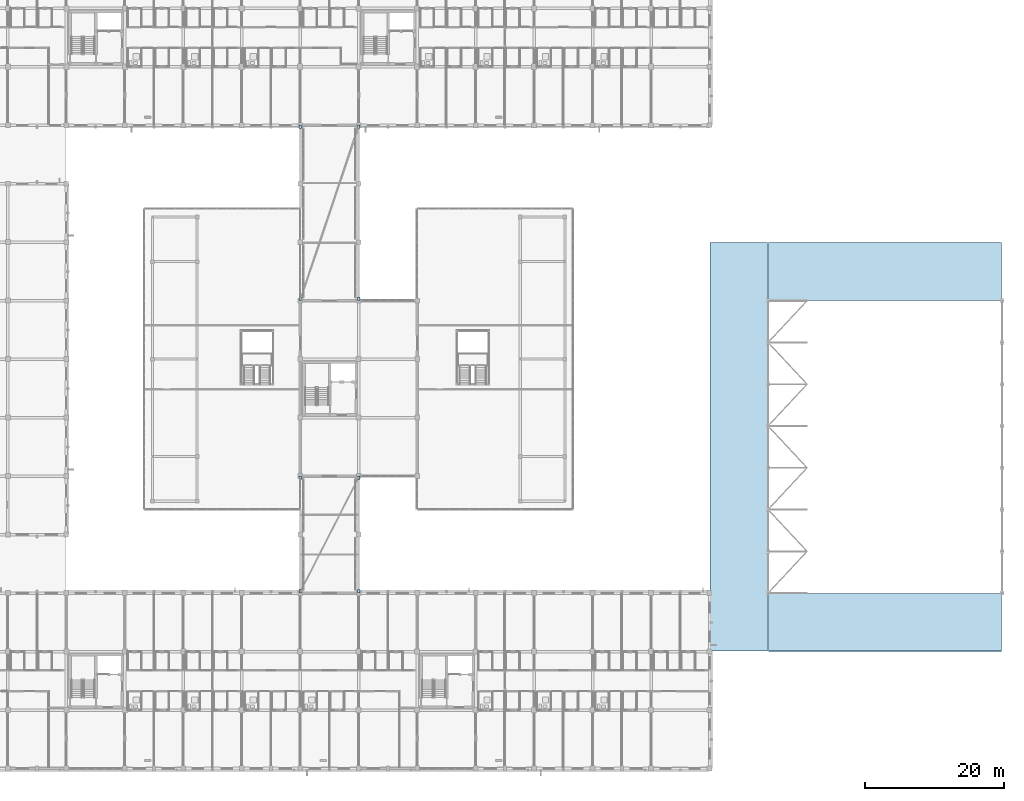
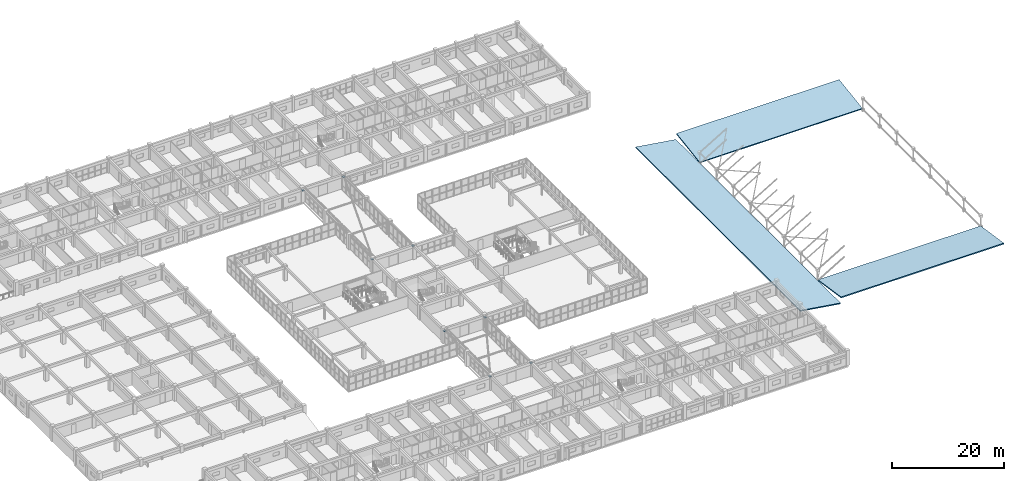
# One storey, part 108 of 148: 8 plates, 3 slabs.
"""IFC4 building model written with IfcOpenShell, lengths in metres."""

import ifcopenshell
import ifcopenshell.guid

model = None  # the IFC model being written
_history = None  # IfcOwnerHistory: only IFC2X3 demands one
_inside = {}  # id of a spatial element -> (the spatial element, [elements in it])
_under = {}  # id of a project, library or spatial element -> (it, [spatial elements below it])
_declared = {}  # id of a project -> (the project, [libraries it declares])
_typed = {}  # id of a type object -> (the type object, [elements of that type])
_made_of = {}  # id of a material, layer set ... -> (it, [elements and type objects made of it])


def new_model(schema):
    """Start an empty IFC model of exactly this schema.

    Asked for "IFC4X3", IfcOpenShell would pick the latest addendum, in which some entities
    have other attributes; the version numbers below select the first issue.
    IFC2X3 requires an IfcOwnerHistory on every rooted entity: one is made here for all.
    """
    global model, _history
    if schema == "IFC4X3":
        model = ifcopenshell.file(schema_version=(4, 3, 0, 0))
    else:
        model = ifcopenshell.file(schema=schema)
    _inside.clear()
    _under.clear()
    _declared.clear()
    _typed.clear()
    _made_of.clear()
    _history = None
    if model.schema == "IFC2X3":
        org = make("IfcOrganization", Name="unknown")
        user = make(
            "IfcPersonAndOrganization",
            ThePerson=make("IfcPerson", FamilyName="unknown"),
            TheOrganization=org,
        )
        app = make(
            "IfcApplication",
            ApplicationDeveloper=org,
            Version="unknown",
            ApplicationFullName="unknown",
            ApplicationIdentifier="unknown",
        )
        _history = make(
            "IfcOwnerHistory",
            OwningUser=user,
            OwningApplication=app,
            ChangeAction="ADDED",
            CreationDate=0,
        )
    return model


def make(cls, **values):
    """One entity of the class cls with the attributes given. An attribute that is None is left unset."""
    return model.create_entity(
        cls, **{name: value for name, value in values.items() if value is not None}
    )


def rooted(cls, **values):
    """An entity with a GlobalId (a new one), such as an element, a storey or a relation."""
    return make(cls, GlobalId=ifcopenshell.guid.new(), OwnerHistory=_history, **values)


def si_unit(unit_type, name, prefix=None):
    """IfcSIUnit, for example si_unit("LENGTHUNIT", "METRE", prefix="MILLI")."""
    return make("IfcSIUnit", UnitType=unit_type, Prefix=prefix, Name=name)


def assignment(units):
    """IfcUnitAssignment: the units of a project."""
    return None if units is None else make("IfcUnitAssignment", Units=units)


def point(xyz):
    """IfcCartesianPoint."""
    return None if xyz is None else make("IfcCartesianPoint", Coordinates=xyz)


def direction(xyz):
    """IfcDirection."""
    return None if xyz is None else make("IfcDirection", DirectionRatios=xyz)


def frame(location, z_axis=None, x_axis=None):
    """IfcAxis2Placement3D, a coordinate frame: its origin and axes. An axis left out is left unset."""
    return make(
        "IfcAxis2Placement3D",
        Location=point(location),
        Axis=direction(z_axis),
        RefDirection=direction(x_axis),
    )


def frame_2d(location, x_axis=None):
    """IfcAxis2Placement2D, a coordinate frame in the plane: its origin and x axis."""
    return make(
        "IfcAxis2Placement2D", Location=point(location), RefDirection=direction(x_axis)
    )


def origin():
    """The frame at (0, 0, 0) with its axes left unset."""
    return frame((0.0, 0.0, 0.0))


def origin_2d():
    """The frame at (0, 0) in the plane with its x axis left unset."""
    return frame_2d((0.0, 0.0))


def place(relative_to, where):
    """IfcLocalPlacement: puts the frame where relative to a parent placement (None: the world)."""
    return make(
        "IfcLocalPlacement", PlacementRelTo=relative_to, RelativePlacement=where
    )


def context(
    kind, dimensions, precision=None, world=None, true_north=None, identifier=None
):
    """IfcGeometricRepresentationContext, for example the 3D "Model" context."""
    return make(
        "IfcGeometricRepresentationContext",
        ContextIdentifier=identifier,
        ContextType=kind,
        CoordinateSpaceDimension=dimensions,
        Precision=precision,
        WorldCoordinateSystem=world,
        TrueNorth=true_north,
    )


def subcontext(parent, identifier, kind, view, scale=None):
    """IfcGeometricRepresentationSubContext, for example "Body" below "Model"."""
    return make(
        "IfcGeometricRepresentationSubContext",
        ContextIdentifier=identifier,
        ContextType=kind,
        ParentContext=parent,
        TargetScale=scale,
        TargetView=view,
    )


def project(units=None, contexts=None):
    """IfcProject with its units and contexts."""
    return rooted(
        "IfcProject",
        Name="project",
        RepresentationContexts=contexts,
        UnitsInContext=assignment(units),
    )


def spatial(cls, under=None, at=None, **own):
    """A site, building, storey or space (cls), placed at a placement, below another one or the project."""
    s = rooted(cls, ObjectPlacement=at, **own)
    if under is not None:
        _under.setdefault(under.id(), (under, []))[1].append(s)
    return s


def polyline(points):
    """IfcPolyline through the points."""
    return make("IfcPolyline", Points=[point(p) for p in points])


def profile(cls, at=None, kind="AREA", **sizes):
    """A parametric profile (cls). Its sizes go by their IFC names, for example OverallWidth=200.0."""
    return make(cls, ProfileType=kind, Position=at, **sizes)


def rectangle(**sizes):
    """IfcRectangleProfileDef."""
    return profile("IfcRectangleProfileDef", **sizes)


def outline(outer, holes=None, kind="AREA"):
    """IfcArbitraryClosedProfileDef: a profile drawn as a closed curve; with holes, ...WithVoids."""
    if holes is None:
        return make("IfcArbitraryClosedProfileDef", ProfileType=kind, OuterCurve=outer)
    return make(
        "IfcArbitraryProfileDefWithVoids",
        ProfileType=kind,
        OuterCurve=outer,
        InnerCurves=holes,
    )


def extrude(swept, where, along, depth):
    """IfcExtrudedAreaSolid: the profile swept, set in the frame where, extruded along a direction by depth."""
    return make(
        "IfcExtrudedAreaSolid",
        SweptArea=swept,
        Position=where,
        ExtrudedDirection=direction(along),
        Depth=depth,
    )


def shape(context_of_items, identifier, shape_type, items):
    """IfcShapeRepresentation: the items that make up one representation, for example the "Body"."""
    return make(
        "IfcShapeRepresentation",
        ContextOfItems=context_of_items,
        RepresentationIdentifier=identifier,
        RepresentationType=shape_type,
        Items=items,
    )


def material(Name=None, Category=None):
    """IfcMaterial."""
    return make("IfcMaterial", Name=Name, Category=Category)


def layer(
    of_material, thickness, ventilated=None, Name=None, Category=None, Priority=None
):
    """IfcMaterialLayer: one layer of a wall or slab, of a material (None: an air gap)."""
    return make(
        "IfcMaterialLayer",
        Material=of_material,
        LayerThickness=thickness,
        IsVentilated=ventilated,
        Name=Name,
        Category=Category,
        Priority=Priority,
    )


def layer_set(layers, Name=None):
    """IfcMaterialLayerSet."""
    return make("IfcMaterialLayerSet", MaterialLayers=layers, LayerSetName=Name)


def made_of(thing, what):
    """Note that an element or type object is made of a material, layer set ...; save() writes the relation."""
    if what is not None:
        _made_of.setdefault(what.id(), (what, []))[1].append(thing)
    return thing


def type_object(cls, material=None, **own):
    """A type object (cls), such as IfcWallType, which elements share."""
    return made_of(rooted(cls, **own), material)


def element(
    cls,
    number,
    at=None,
    inside=None,
    cuts=None,
    type_object=None,
    material=None,
    context=None,
    identifier="Body",
    shape_type=None,
    held_by="IfcProductDefinitionShape",
    body=None,
    shapes=None,
    **own,
):
    """One element of the class cls, such as IfcWall. Its Tag is "e" and its number.

    at: its placement. inside: the storey or other place that contains it. cuts: it is an
    opening in that element (IfcRelVoidsElement). A single representation is given by context,
    identifier, shape_type and body (its items); several are given by shapes. held_by: the class
    of the entity that holds the representations. save() writes the other relations.
    """
    e = rooted(cls, Tag="e%d" % number, ObjectPlacement=at, **own)
    if body is not None:
        shapes = [shape(context, identifier, shape_type, body)]
    if shapes is not None:
        e.Representation = make(held_by, Representations=shapes)
    if inside is not None:
        _inside.setdefault(inside.id(), (inside, []))[1].append(e)
    if cuts is not None:
        rooted(
            "IfcRelVoidsElement", RelatingBuildingElement=cuts, RelatedOpeningElement=e
        )
    if type_object is not None:
        _typed.setdefault(type_object.id(), (type_object, []))[1].append(e)
    return made_of(e, material)


def aggregate(whole, parts):
    """IfcRelAggregates: a whole, such as a stair, and the parts it consists of."""
    return rooted("IfcRelAggregates", RelatingObject=whole, RelatedObjects=parts)


def save(model, path):
    """Write the relations noted so far, then the file.

    IfcRelAggregates (storeys below a building ...), IfcRelContainedInSpatialStructure (elements
    in a storey), IfcRelDefinesByType, IfcRelAssociatesMaterial and IfcRelDeclares: one each for
    every whole, place, type object, material and project.
    """
    for whole, parts in _under.values():
        aggregate(whole, parts)
    for where, things in _inside.values():
        rooted(
            "IfcRelContainedInSpatialStructure",
            RelatedElements=things,
            RelatingStructure=where,
        )
    for kind, things in _typed.values():
        rooted("IfcRelDefinesByType", RelatedObjects=things, RelatingType=kind)
    for what, things in _made_of.values():
        rooted("IfcRelAssociatesMaterial", RelatedObjects=things, RelatingMaterial=what)
    for by, libraries in _declared.values():
        rooted("IfcRelDeclares", RelatingContext=by, RelatedDefinitions=libraries)
    model.write(path)


model = new_model("IFC4")

# Units and contexts
model_context = context("Model", 3, precision=1e-05, world=origin(), true_north=direction((0.0, 1.0)))
body_context = subcontext(model_context, "Body", "Model", "MODEL_VIEW")
ifc_project = project(units=[si_unit("LENGTHUNIT", "METRE"), si_unit("AREAUNIT", "SQUARE_METRE"), si_unit("VOLUMEUNIT", "CUBIC_METRE"), si_unit("PLANEANGLEUNIT", "RADIAN"), si_unit("MASSUNIT", "GRAM", prefix="KILO")], contexts=[model_context])

# Site, building, storey
site_placement = place(None, origin())
site = spatial("IfcSite", under=ifc_project, at=site_placement, CompositionType="ELEMENT")
building_placement = place(site_placement, origin())
building = spatial("IfcBuilding", under=site, at=building_placement, Name="Trelvath General Hospital", CompositionType="ELEMENT")
storey_placement = place(building_placement, frame((0.0, 0.0, 12.89990234375)))
storey = spatial("IfcBuildingStorey", under=building, at=storey_placement, Name="L03", CompositionType="ELEMENT", Elevation=12.89990234375)

# Plates
ifc_material_1 = material(Name="Steel S355", Category="steel")
ifc_layer_1 = layer(ifc_material_1, 0.01611328125)
ifc_layer_set_1 = layer_set([ifc_layer_1], Name="Steel S355")
plate_type = type_object("IfcPlateType", Name="BearingPlate Steel16", PredefinedType="SHEET", material=ifc_layer_set_1)
for number, where, z_axis, x_axis, name in (
    (1, (75.60009765625, 67.449951171875, 2.64404296875), (0.0, 0.0, 1.0), (1.0, 0.0, 0.0), "Bridge Sliding Seat Plate BRG-N-C W-S L04"),
    (2, (75.60009765625, 92.14990234375, 2.64404296875), (0.0, 0.0, 1.0), (1.0, 0.0, 0.0), "Bridge Sliding Seat Plate BRG-N-C W-N L04"),
    (3, (84.0, 67.449951171875, 2.64404296875), (0.0, 0.0, 1.0), (1.0, 0.0, 0.0), "Bridge Sliding Seat Plate BRG-N-C E-S L04"),
    (4, (84.0, 92.14990234375, 2.64404296875), (0.0, 0.0, 1.0), (1.0, 0.0, 0.0), "Bridge Sliding Seat Plate BRG-N-C E-N L04"),
    (5, (75.60009765625, 25.449951171875, 2.64404296875), (0.0, 0.0, 1.0), (1.0, 0.0, 0.0), "Bridge Sliding Seat Plate BRG-S-C W-S L04"),
    (6, (75.60009765625, 41.75, 2.64404296875), (0.0, 0.0, 1.0), (1.0, 0.0, 0.0), "Bridge Sliding Seat Plate BRG-S-C W-N L04"),
    (7, (84.0, 25.449951171875, 2.64404296875), (0.0, 0.0, 1.0), (1.0, 0.0, 0.0), "Bridge Sliding Seat Plate BRG-S-C E-S L04"),
    (8, (84.0, 41.75, 2.64404296875), (0.0, 0.0, 1.0), (1.0, 0.0, 0.0), "Bridge Sliding Seat Plate BRG-S-C E-N L04"),
):
    element("IfcPlate", number, at=place(storey_placement, frame(where, z_axis=z_axis, x_axis=x_axis)), inside=storey, type_object=plate_type, Name=name, PredefinedType="SHEET", context=body_context, shape_type="SweptSolid", body=[
        extrude(rectangle(XDim=0.419921875, YDim=0.5, at=origin_2d()), origin(), (0.0, 0.0, 1.0), 0.01611328125),
    ])

# Slabs
ifc_material_2 = material(Name="Concrete C35/45", Category="concrete")
ifc_layer_2 = layer(ifc_material_2, 0.219970703125)
ifc_layer_set_2 = layer_set([ifc_layer_2], Name="Concrete C35/45")
slab_type = type_object("IfcSlabType", Name="RoofSlab Folded220", PredefinedType="ROOF", material=ifc_layer_set_2)
slab_1_placement = place(storey_placement, frame((134.47998046875, 16.860107421875, 1.5), z_axis=(0.150798957621, 0.0, 0.988564451303), x_axis=(0.988564451303, 0.0, -0.150798957621)))
element("IfcSlab", 9, at=slab_1_placement, inside=storey, type_object=slab_type, Name="Main Hall Gallery Sloped Concrete Roof W", PredefinedType="ROOF", context=body_context, shape_type="SweptSolid", body=[
    extrude(outline(polyline([(0.0, 0.0), (8.35556018096278, 0.0), (8.35556018096278, 58.679931640625), (0.0, 58.679931640625), (0.0, 0.0)])), origin(), (0.0, 0.0, -1.0), 0.219970703125),
])
slab_2_placement = place(storey_placement, frame((142.860107421875, 16.860107421875, 1.5), z_axis=(0.0, 0.150446951937, 0.988618083313), x_axis=(1.0, 0.0, 0.0)))
element("IfcSlab", 10, at=slab_2_placement, inside=storey, type_object=slab_type, Name="Main Hall Gallery Sloped Concrete Roof S", PredefinedType="ROOF", context=body_context, shape_type="SweptSolid", body=[
    extrude(outline(polyline([(0.0, 0.0), (33.47998046875, 0.0), (33.47998046875, 8.37510996006191), (0.0, 8.37510996006191), (0.0, 0.0)])), origin(), (0.0, 0.0, -1.0), 0.219970703125),
])
slab_3_placement = place(storey_placement, frame((142.860107421875, 67.260009765625, 0.239990234375), z_axis=(0.0, -0.150442616338, 0.98861874309), x_axis=(1.0, 0.0, 0.0)))
element("IfcSlab", 11, at=slab_3_placement, inside=storey, type_object=slab_type, Name="Main Hall Gallery Sloped Concrete Roof N", PredefinedType="ROOF", context=body_context, shape_type="SweptSolid", body=[
    extrude(outline(polyline([(0.0, 0.0), (33.47998046875, 0.0), (33.47998046875, 8.375351321979197), (0.0, 8.375351321979197), (0.0, 0.0)])), origin(), (0.0, 0.0, -1.0), 0.219970703125),
])

save(model, "model.ifc")
